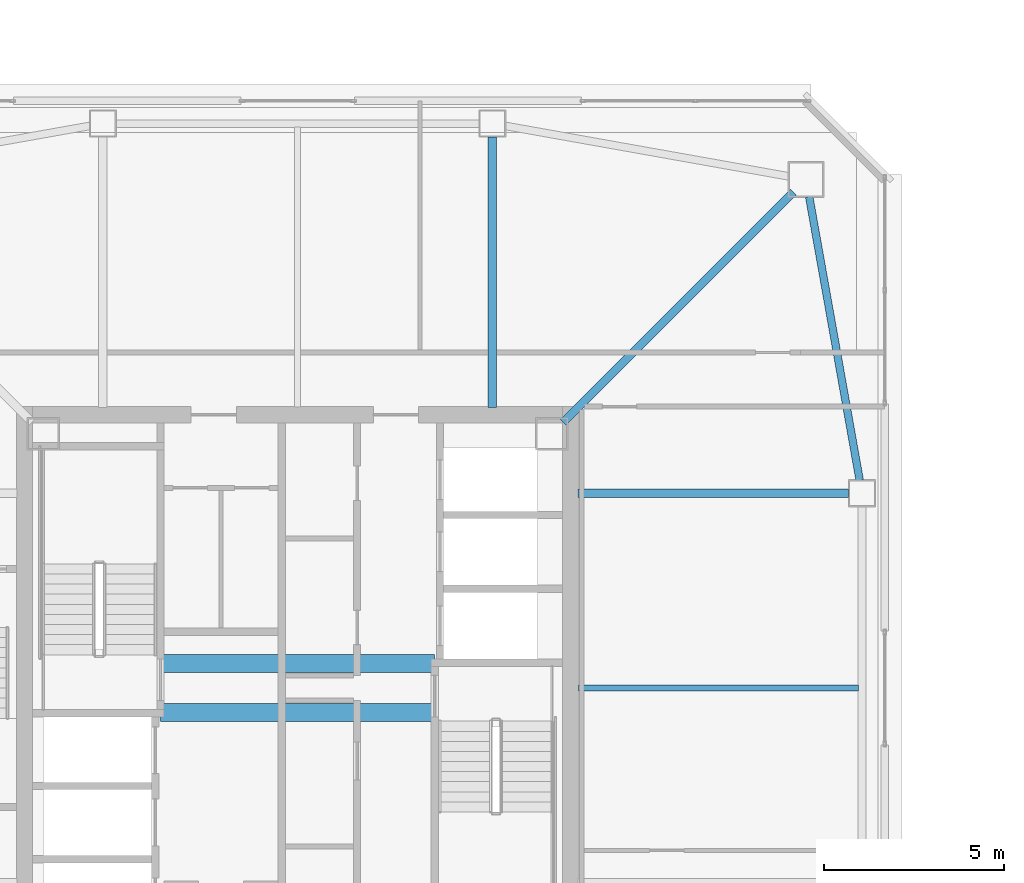
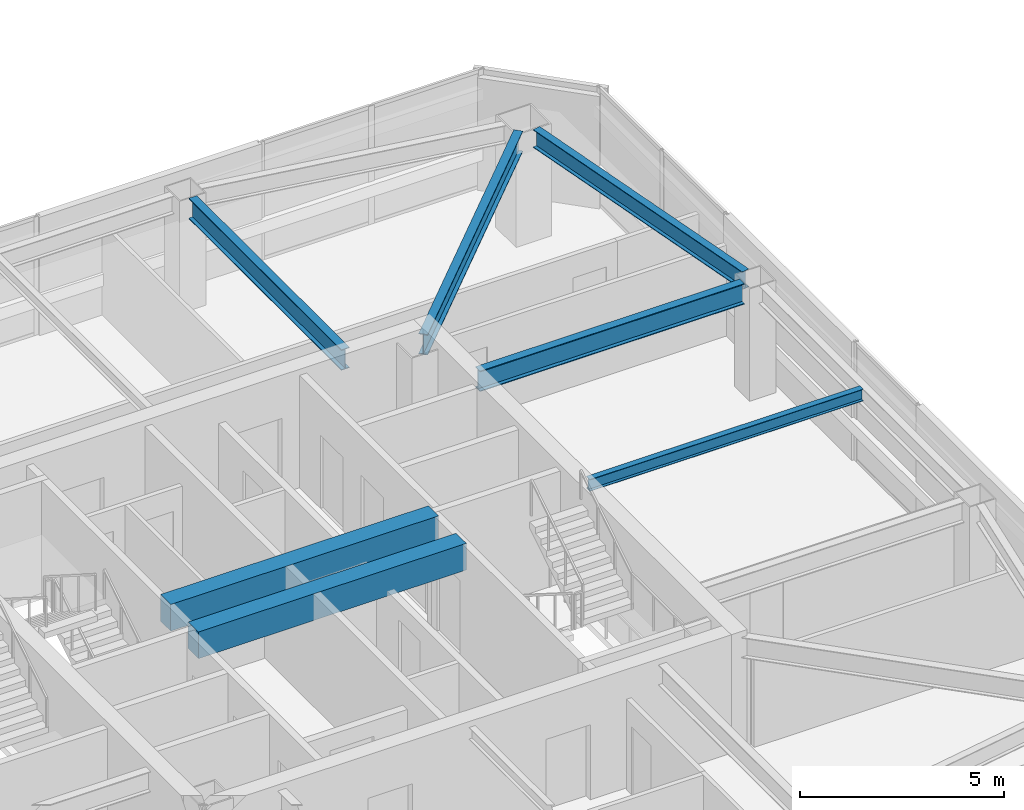
# One storey, part 11 of 44: 7 beams.
"""IFC4 building model written with IfcOpenShell, lengths in metres."""

from ifc_helpers import new_model, si_unit, direction, frame, origin, origin_2d, place, context, subcontext, project, spatial, rectangle, i_section, extrude, material, material_profile, profile_set, type_object, element, save


model = new_model("IFC4")

# Units and contexts
model_context = context("Model", 3, precision=1e-05, world=origin(), true_north=direction((0.0, 1.0)))
body_context = subcontext(model_context, "Body", "Model", "MODEL_VIEW")
ifc_project = project(units=[si_unit("LENGTHUNIT", "METRE"), si_unit("AREAUNIT", "SQUARE_METRE"), si_unit("VOLUMEUNIT", "CUBIC_METRE"), si_unit("PLANEANGLEUNIT", "RADIAN"), si_unit("MASSUNIT", "GRAM", prefix="KILO")], contexts=[model_context])

# Site, building, storey
site_placement = place(None, origin())
site = spatial("IfcSite", under=ifc_project, at=site_placement, CompositionType="ELEMENT")
building_placement = place(site_placement, origin())
building = spatial("IfcBuilding", under=site, at=building_placement, Name="Tashvorn Skyway Center", CompositionType="ELEMENT")
storey_placement = place(building_placement, frame((0.0, 0.0, 211.300048828125)))
storey = spatial("IfcBuildingStorey", under=building, at=storey_placement, Name="L57", CompositionType="ELEMENT", Elevation=211.300048828125)

# Beams
ifc_material_1 = material(Name="Steel ASTM A992 Grade 50", Category="steel")
ifc_material_profile_1 = material_profile(ifc_material_1, i_section(OverallWidth=0.22998046875, OverallDepth=0.616943359375, WebThickness=0.01318359375, FlangeThickness=0.022216796875, at=origin_2d()), Name="W24X94")
ifc_profile_set_1 = profile_set([ifc_material_profile_1], Name="Steel ASTM A992 Grade 50")
beam_type_1 = type_object("IfcBeamType", Name="BM-BEAM-W24X94", PredefinedType="BEAM", material=ifc_profile_set_1)
beam_1_placement = place(storey_placement, frame((55.75, 45.75, 3.0615234375), z_axis=(-0.707106781187, -0.707106781187, 0.0), x_axis=(0.707106781187, -0.707106781187, 0.0)))
element("IfcBeam", 1, at=beam_1_placement, inside=storey, type_object=beam_type_1, Name="Tower 1 L57 Primary Floor Girder MC-NE", PredefinedType="BEAM", context=body_context, shape_type="SweptSolid", body=[
    extrude(i_section(OverallWidth=0.22998046875, OverallDepth=0.616943359375, WebThickness=0.01318359375, FlangeThickness=0.022216796875, at=origin_2d()), origin(), (0.0, 0.0, 1.0), 9.030029296875),
])
for number, where, z_axis, x_axis, name in (
    (2, (57.280029296875, 37.39990234375, 3.0615234375), (-1.0, 0.0, 0.0), (0.0, -1.0, 0.0), "Tower 1 L57 Primary Floor Girder FC-E2"),
    (3, (47.39990234375, 47.280029296875, 3.0615234375), (0.0, -1.0, 0.0), (1.0, 0.0, 0.0), "Tower 1 L57 Primary Floor Girder FC-N1"),
):
    element("IfcBeam", number, at=place(storey_placement, frame(where, z_axis=z_axis, x_axis=x_axis)), inside=storey, type_object=beam_type_1, Name=name, PredefinedType="BEAM", context=body_context, shape_type="SweptSolid", body=[
        extrude(i_section(OverallWidth=0.22998046875, OverallDepth=0.616943359375, WebThickness=0.01318359375, FlangeThickness=0.022216796875, at=origin_2d()), origin(), (0.0, 0.0, 1.0), 7.5),
    ])
ifc_material_profile_2 = material_profile(ifc_material_1, i_section(OverallWidth=0.1708984375, OverallDepth=0.35498046875, WebThickness=0.007080078125, FlangeThickness=0.01171875, at=origin_2d()), Name="W14X34")
ifc_profile_set_2 = profile_set([ifc_material_profile_2], Name="Steel ASTM A992 Grade 50")
beam_type_2 = type_object("IfcBeamType", Name="BM-JOIST-W14X34", PredefinedType="JOIST", material=ifc_profile_set_2)
beam_2_placement = place(storey_placement, frame((49.7900390625, 32.0, 3.1923828125), z_axis=(1.0, 0.0, 0.0), x_axis=(0.0, 1.0, 0.0)))
element("IfcBeam", 4, at=beam_2_placement, inside=storey, type_object=beam_type_2, Name="Tower 1 L57 Secondary Composite Joist JE", PredefinedType="JOIST", context=body_context, shape_type="SweptSolid", body=[
    extrude(i_section(OverallWidth=0.1708984375, OverallDepth=0.35498046875, WebThickness=0.007080078125, FlangeThickness=0.01171875, at=origin_2d()), origin(), (0.0, 0.0, 1.0), 7.762451171875),
])
ifc_material_2 = material(Name="Concrete C50/60", Category="concrete")
ifc_material_profile_3 = material_profile(ifc_material_2, rectangle(XDim=0.5, YDim=0.800048828125, at=origin_2d()), Name="RCB500x800")
ifc_profile_set_3 = profile_set([ifc_material_profile_3], Name="Concrete C50/60")
beam_type_3 = type_object("IfcBeamType", Name="BM-LINTEL-RCB500x800", PredefinedType="LINTEL", material=ifc_profile_set_3)
for number, where, z_axis, x_axis, name in (
    (5, (38.199951171875, 32.679931640625, 2.969970703125), (1.0, 0.0, 0.0), (0.0, 1.0, 0.0), "Tower 1 L57 Core Coupling Beam CN"),
    (6, (38.199951171875, 31.320068359375, 2.969970703125), (1.0, 0.0, 0.0), (0.0, 1.0, 0.0), "Tower 1 L57 Core Coupling Beam CS"),
):
    element("IfcBeam", number, at=place(storey_placement, frame(where, z_axis=z_axis, x_axis=x_axis)), inside=storey, type_object=beam_type_3, Name=name, PredefinedType="LINTEL", context=body_context, shape_type="SweptSolid", body=[
        extrude(rectangle(XDim=0.5, YDim=0.800048828125, at=origin_2d()), origin(), (0.0, 0.0, 1.0), 7.60009765625),
    ])
ifc_material_profile_4 = material_profile(ifc_material_1, i_section(OverallWidth=0.2109375, OverallDepth=0.5390625, WebThickness=0.01171875, FlangeThickness=0.018798828125, at=origin_2d()), Name="W21X73")
ifc_profile_set_4 = profile_set([ifc_material_profile_4], Name="Steel ASTM A992 Grade 50")
beam_type_4 = type_object("IfcBeamType", Name="BM-SPANDREL-W21X73", PredefinedType="SPANDREL", material=ifc_profile_set_4)
beam_3_placement = place(storey_placement, frame((57.585205078125, 37.76416015625, 3.100341796875), z_axis=(-0.17541329759, 0.984494883191, 0.0), x_axis=(-0.984494883191, -0.17541329759, 0.0)))
element("IfcBeam", 7, at=beam_3_placement, inside=storey, type_object=beam_type_4, Name="Tower 1 L57 Spandrel Beam 06", PredefinedType="SPANDREL", context=body_context, shape_type="SweptSolid", body=[
    extrude(i_section(OverallWidth=0.2109375, OverallDepth=0.5390625, WebThickness=0.01171875, FlangeThickness=0.018798828125, at=origin_2d()), origin(), (0.0, 0.0, 1.0), 7.97216796875),
])

save(model, "model.ifc")
